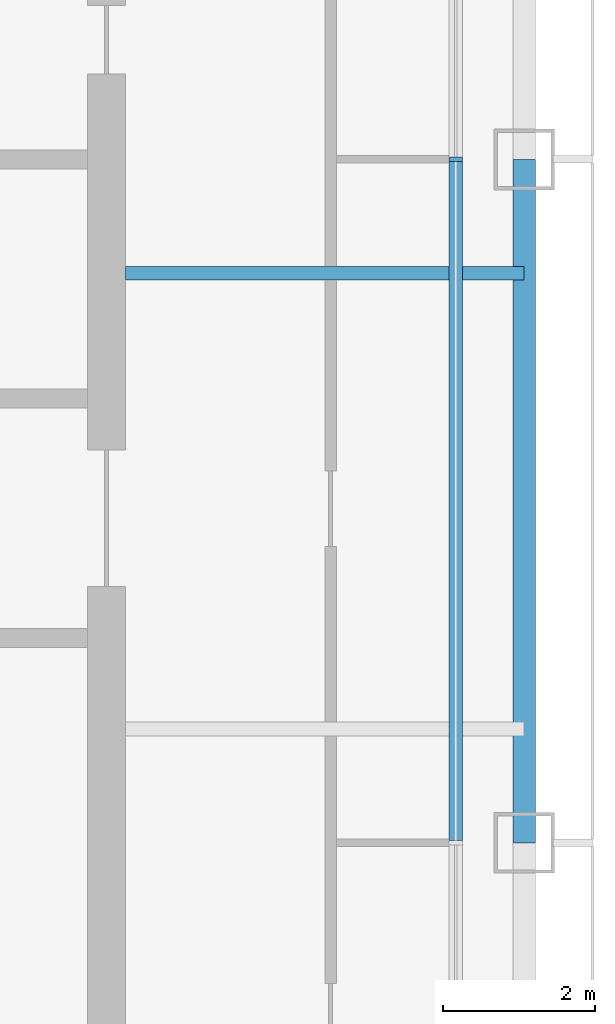
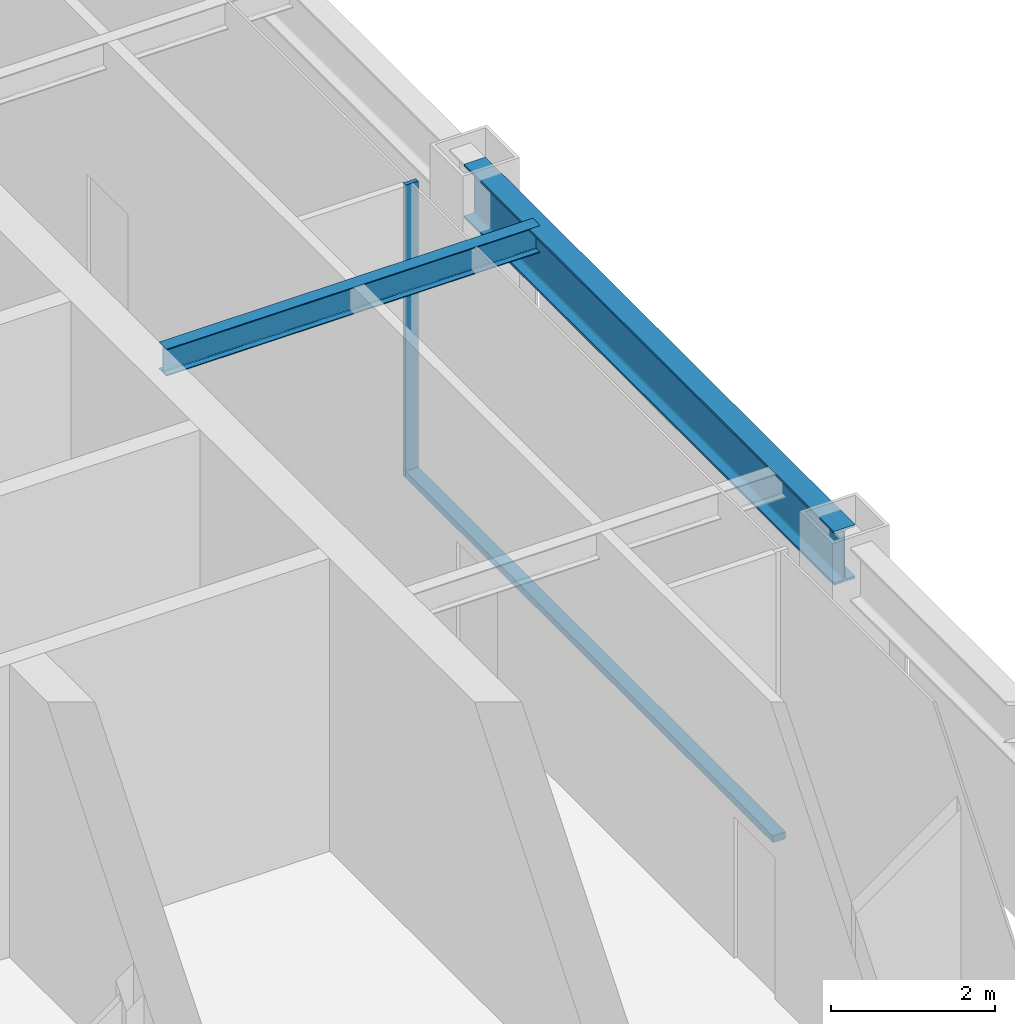
# One storey, part 5 of 19: 2 beams, 2 members, 1 element without a shape of its own.
"""IFC4 building model written with IfcOpenShell, lengths in metres."""

from ifc_helpers import new_model, si_unit, direction, frame, origin, origin_2d, place, context, subcontext, project, spatial, rectangle, i_section, extrude, material, layer, layer_set, material_profile, profile_set, type_object, element, aggregate, save


model = new_model("IFC4")

# Units and contexts
model_context = context("Model", 3, precision=1e-05, world=origin(), true_north=direction((0.0, 1.0)))
body_context = subcontext(model_context, "Body", "Model", "MODEL_VIEW")
ifc_project = project(units=[si_unit("LENGTHUNIT", "METRE"), si_unit("AREAUNIT", "SQUARE_METRE"), si_unit("VOLUMEUNIT", "CUBIC_METRE"), si_unit("PLANEANGLEUNIT", "RADIAN"), si_unit("MASSUNIT", "GRAM", prefix="KILO")], contexts=[model_context])

# Site, building, storey
site_placement = place(None, origin())
site = spatial("IfcSite", under=ifc_project, at=site_placement, CompositionType="ELEMENT")
building_placement = place(site_placement, origin())
building = spatial("IfcBuilding", under=site, at=building_placement, Name="Siwar Civic Tower", CompositionType="ELEMENT")
storey_placement = place(building_placement, frame((0.0, 0.0, 264.699951171875)))
storey = spatial("IfcBuildingStorey", under=building, at=storey_placement, Name="L57", CompositionType="ELEMENT", Elevation=264.699951171875)

# Curtain wall, members
ifc_material_1 = material(Name="Aluminium and glass", Category="aluminium")
ifc_layer = layer(ifc_material_1, 0.179931640625)
ifc_layer_set = layer_set([ifc_layer], Name="Aluminium and glass")
curtain_wall_type = type_object("IfcCurtainWallType", Name="ENV-CW-C", PredefinedType="NOTDEFINED", material=ifc_layer_set)
curtain_wall_placement = place(storey_placement, origin())
curtain_wall = element("IfcCurtainWall", 1, at=curtain_wall_placement, inside=storey, type_object=curtain_wall_type, Name="Curtain wall C E", PredefinedType="NOTDEFINED")
ifc_material_2 = material(Name="Aluminium 6063-T6", Category="aluminium")
ifc_material_profile_1 = material_profile(ifc_material_2, rectangle(XDim=0.179931640625, YDim=0.06005859375, at=origin_2d()), Name="AL 180x60")
ifc_profile_set_1 = profile_set([ifc_material_profile_1], Name="Aluminium 6063-T6")
member_type_1 = type_object("IfcMemberType", Name="ENV-MULLION-C", PredefinedType="MULLION", material=ifc_profile_set_1)
member_1_placement = place(storey_placement, frame((26.10009765625, 0.0, 0.0), z_axis=(0.0, 0.0, 1.0), x_axis=(-1.0, 0.0, 0.0)))
member_1 = element("IfcMember", 2, at=member_1_placement, type_object=member_type_1, Name="Mullion C E 3", PredefinedType="MULLION", context=body_context, shape_type="SweptSolid", body=[
    extrude(rectangle(XDim=0.179931640625, YDim=0.06005859375, at=origin_2d()), origin(), (0.0, 0.0, 1.0), 4.35009765625),
])
ifc_material_3 = material(Name="Aluminium 6063-T6", Category="aluminium")
ifc_material_profile_2 = material_profile(ifc_material_3, rectangle(XDim=0.179931640625, YDim=0.10009765625, at=origin_2d()), Name="AL 180x100")
ifc_profile_set_2 = profile_set([ifc_material_profile_2], Name="Aluminium 6063-T6")
member_type_2 = type_object("IfcMemberType", Name="ENV-TRANSOM-C", PredefinedType="USERDEFINED", material=ifc_profile_set_2)
member_2_placement = place(storey_placement, frame((26.10009765625, -8.969970703125, 0.050048828125), z_axis=(0.0, 1.0, 0.0), x_axis=(-1.0, 0.0, 0.0)))
member_2 = element("IfcMember", 3, at=member_2_placement, type_object=member_type_2, Name="Transom C E 2", ObjectType="TRANSOM", PredefinedType="USERDEFINED", context=body_context, shape_type="SweptSolid", body=[
    extrude(rectangle(XDim=0.179931640625, YDim=0.10009765625, at=origin_2d()), origin(), (0.0, 0.0, 1.0), 8.93994140625),
])
aggregate(curtain_wall, [member_1, member_2])

# Beams
ifc_material_4 = material(Name="Steel S355", Category="steel")
ifc_material_profile_3 = material_profile(ifc_material_4, i_section(OverallWidth=0.179931640625, OverallDepth=0.39990234375, WebThickness=0.008544921875, FlangeThickness=0.013427734375, FilletRadius=0.02099609375, at=origin_2d()), Name="IPE400")
ifc_profile_set_3 = profile_set([ifc_material_profile_3], Name="Steel S355")
beam_type_1 = type_object("IfcBeamType", Name="STR-FB-IPE400", PredefinedType="JOIST", material=ifc_profile_set_3)
beam_1_placement = place(storey_placement, frame((21.75, -1.5, 4.150146484375), z_axis=(1.0, 0.0, 0.0), x_axis=(0.0, 1.0, 0.0)))
element("IfcBeam", 4, at=beam_1_placement, inside=storey, type_object=beam_type_1, Name="L57/bm/F024", PredefinedType="JOIST", context=body_context, shape_type="SweptSolid", body=[
    extrude(i_section(OverallWidth=0.179931640625, OverallDepth=0.39990234375, WebThickness=0.008544921875, FlangeThickness=0.013427734375, FilletRadius=0.02099609375, at=origin_2d()), origin(), (0.0, 0.0, 1.0), 5.25),
])
ifc_material_5 = material(Name="Steel S355", Category="steel")
ifc_material_profile_4 = material_profile(ifc_material_5, i_section(OverallWidth=0.300048828125, OverallDepth=0.800048828125, WebThickness=0.017578125, FlangeThickness=0.032958984375, FilletRadius=0.030029296875, at=origin_2d()), Name="HEB800")
ifc_profile_set_4 = profile_set([ifc_material_profile_4], Name="Steel S355")
beam_type_2 = type_object("IfcBeamType", Name="STR-SB-HEB800", PredefinedType="BEAM", material=ifc_profile_set_4)
beam_2_placement = place(storey_placement, frame((27.0, -9.0, 3.949951171875), z_axis=(0.0, 1.0, 0.0), x_axis=(-1.0, 0.0, 0.0)))
element("IfcBeam", 5, at=beam_2_placement, inside=storey, type_object=beam_type_2, Name="L57/bm/SE-1", PredefinedType="BEAM", context=body_context, shape_type="SweptSolid", body=[
    extrude(i_section(OverallWidth=0.300048828125, OverallDepth=0.800048828125, WebThickness=0.017578125, FlangeThickness=0.032958984375, FilletRadius=0.030029296875, at=origin_2d()), origin(), (0.0, 0.0, 1.0), 9.0),
])

save(model, "model.ifc")
